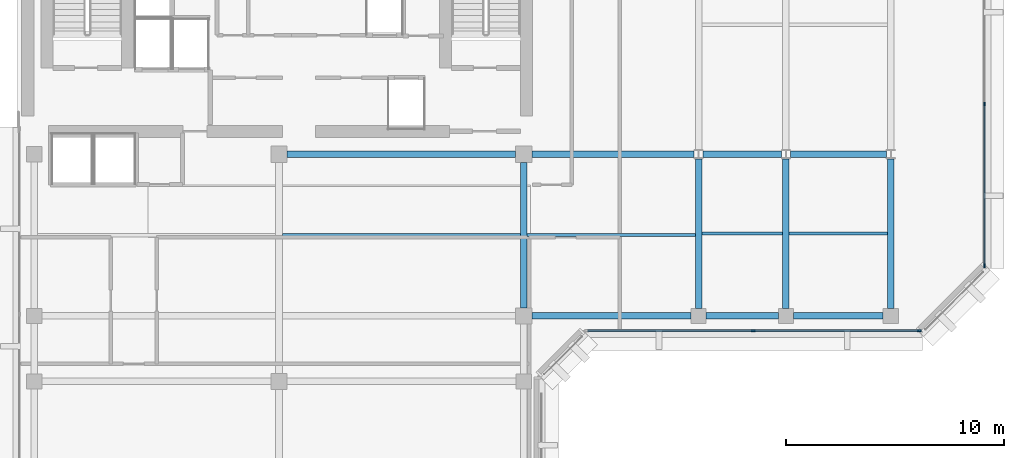
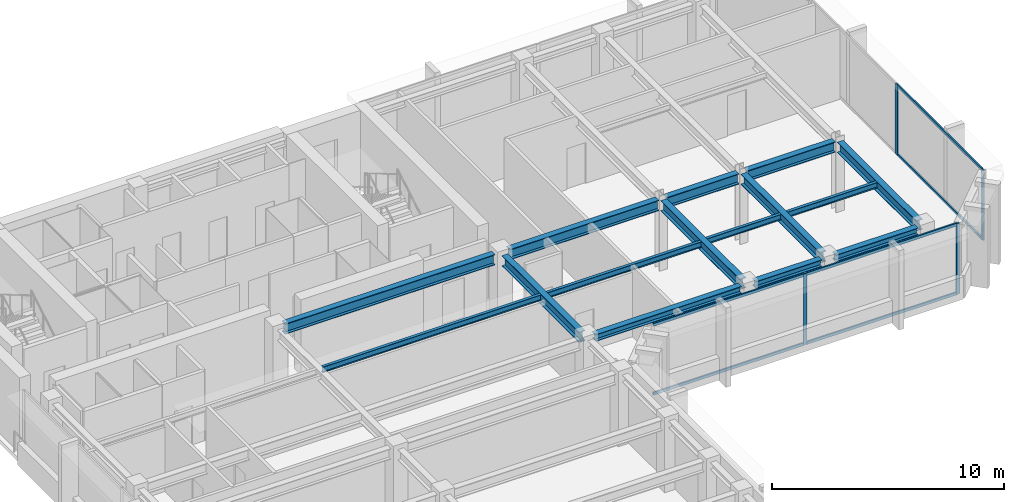
# One storey, part 3 of 11: 15 beams, 10 members, 2 elements without a shape of their own.
"""IFC4 building model written with IfcOpenShell, lengths in metres."""

from ifc_helpers import new_model, si_unit, direction, frame, origin, origin_2d, place, context, subcontext, project, spatial, rectangle, i_section, extrude, material, layer, layer_set, material_profile, profile_set, type_object, element, aggregate, save


model = new_model("IFC4")

# Units and contexts
model_context = context("Model", 3, precision=1e-05, world=origin(), true_north=direction((0.0, 1.0)))
body_context = subcontext(model_context, "Body", "Model", "MODEL_VIEW")
ifc_project = project(units=[si_unit("LENGTHUNIT", "METRE"), si_unit("AREAUNIT", "SQUARE_METRE"), si_unit("VOLUMEUNIT", "CUBIC_METRE"), si_unit("PLANEANGLEUNIT", "RADIAN"), si_unit("MASSUNIT", "GRAM", prefix="KILO")], contexts=[model_context])

# Site, building, storey
site_placement = place(None, origin())
site = spatial("IfcSite", under=ifc_project, at=site_placement, CompositionType="ELEMENT")
building_placement = place(site_placement, origin())
building = spatial("IfcBuilding", under=site, at=building_placement, Name="Kefirva Bronze Tower", CompositionType="ELEMENT")
storey_placement = place(building_placement, frame((0.0, 0.0, 343.530029296875)))
storey = spatial("IfcBuildingStorey", under=building, at=storey_placement, Name="L84", CompositionType="ELEMENT", Elevation=343.530029296875)

# Curtain wall, members
ifc_material_1 = material(Name="Bronze anodised aluminium", Category="aluminium")
ifc_layer = layer(ifc_material_1, 0.179931640625, Name="Bronze anodised aluminium")
ifc_layer_set = layer_set([ifc_layer], Name="Bronze anodised aluminium")
curtain_wall_type = type_object("IfcCurtainWallType", Name="Unitised Bronze Ribbon Curtain Wall Zone 4", PredefinedType="USERDEFINED", material=ifc_layer_set)
curtain_wall_1_placement = place(storey_placement, origin())
curtain_wall_1 = element("IfcCurtainWall", 1, at=curtain_wall_1_placement, inside=storey, type_object=curtain_wall_type, Name="L84 Curtain Wall 2", ObjectType="UNITISED CURTAIN WALL", PredefinedType="USERDEFINED")
ifc_material_profile_1 = material_profile(ifc_material_1, rectangle(XDim=0.074951171875, YDim=0.179931640625, at=origin_2d()), Name="ALU 75x180")
ifc_profile_set_1 = profile_set([ifc_material_profile_1], Name="Bronze anodised aluminium")
member_type_1 = type_object("IfcMemberType", Name="Bronze Mullion 75x180", PredefinedType="MULLION", material=ifc_profile_set_1)
member_1_placement = place(storey_placement, frame((33.699951171875, 25.1201171875, 0.0), z_axis=(0.0, 0.0, 1.0), x_axis=(0.0, 1.0, 0.0)))
member_1 = element("IfcMember", 2, at=member_1_placement, type_object=member_type_1, Name="CW-04 mullion 2", PredefinedType="MULLION", context=body_context, shape_type="SweptSolid", body=[
    extrude(rectangle(XDim=0.074951171875, YDim=0.179931640625, at=origin_2d()), origin(), (0.0, 0.0, 1.0), 3.7099609375),
])
member_2_placement = place(storey_placement, frame((41.3076171875, 25.1201171875, 0.0), z_axis=(0.0, 0.0, 1.0), x_axis=(0.0, 1.0, 0.0)))
member_2 = element("IfcMember", 3, at=member_2_placement, type_object=member_type_1, Name="CW-04 mullion 3", PredefinedType="MULLION", context=body_context, shape_type="SweptSolid", body=[
    extrude(rectangle(XDim=0.074951171875, YDim=0.179931640625, at=origin_2d()), origin(), (0.0, 0.0, 1.0), 3.7099609375),
])

curtain_wall_2_placement = place(storey_placement, origin())
curtain_wall_2 = element("IfcCurtainWall", 4, at=curtain_wall_2_placement, inside=storey, type_object=curtain_wall_type, Name="L84 Curtain Wall 3", ObjectType="UNITISED CURTAIN WALL", PredefinedType="USERDEFINED")
member_3_placement = place(storey_placement, frame((44.280029296875, 28.092529296875, 0.0), z_axis=(0.0, 0.0, 1.0), x_axis=(-1.0, 0.0, 0.0)))
member_3 = element("IfcMember", 5, at=member_3_placement, type_object=member_type_1, Name="CW-04 mullion 1", PredefinedType="MULLION", context=body_context, shape_type="SweptSolid", body=[
    extrude(rectangle(XDim=0.074951171875, YDim=0.179931640625, at=origin_2d()), origin(), (0.0, 0.0, 1.0), 3.7099609375),
])
member_4_placement = place(storey_placement, frame((44.280029296875, 35.5, 0.0), z_axis=(0.0, 0.0, 1.0), x_axis=(-1.0, 0.0, 0.0)))
member_4 = element("IfcMember", 6, at=member_4_placement, type_object=member_type_1, Name="CW-04 mullion 2", PredefinedType="MULLION", context=body_context, shape_type="SweptSolid", body=[
    extrude(rectangle(XDim=0.074951171875, YDim=0.179931640625, at=origin_2d()), origin(), (0.0, 0.0, 1.0), 3.7099609375),
])

# Member
ifc_material_profile_2 = material_profile(ifc_material_1, rectangle(XDim=0.074951171875, YDim=0.14990234375, at=origin_2d()), Name="ALU 75x150")
ifc_profile_set_2 = profile_set([ifc_material_profile_2], Name="Bronze anodised aluminium")
member_type_2 = type_object("IfcMemberType", Name="Bronze Transom 75x150", PredefinedType="USERDEFINED", material=ifc_profile_set_2)
member_5_placement = place(storey_placement, frame((26.1298828125, 25.1201171875, 0.037353515625), z_axis=(1.0, 0.0, 0.0), x_axis=(0.0, 1.0, 0.0)))
member_5 = element("IfcMember", 7, at=member_5_placement, type_object=member_type_2, Name="CW-04 transom 1.1", ObjectType="TRANSOM", PredefinedType="USERDEFINED", context=body_context, shape_type="SweptSolid", body=[
    extrude(rectangle(XDim=0.074951171875, YDim=0.14990234375, at=origin_2d()), origin(), (0.0, 0.0, 1.0), 7.53271484375),
])

member_6_placement = place(storey_placement, frame((26.1298828125, 25.1201171875, 3.67236328125), z_axis=(1.0, 0.0, 0.0), x_axis=(0.0, 1.0, 0.0)))
member_6 = element("IfcMember", 8, at=member_6_placement, type_object=member_type_2, Name="CW-04 transom 1.2", ObjectType="TRANSOM", PredefinedType="USERDEFINED", context=body_context, shape_type="SweptSolid", body=[
    extrude(rectangle(XDim=0.074951171875, YDim=0.14990234375, at=origin_2d()), origin(), (0.0, 0.0, 1.0), 7.53271484375),
])

member_7_placement = place(storey_placement, frame((33.737548828125, 25.1201171875, 0.037353515625), z_axis=(1.0, 0.0, 0.0), x_axis=(0.0, 1.0, 0.0)))
member_7 = element("IfcMember", 9, at=member_7_placement, type_object=member_type_2, Name="CW-04 transom 2.1", ObjectType="TRANSOM", PredefinedType="USERDEFINED", context=body_context, shape_type="SweptSolid", body=[
    extrude(rectangle(XDim=0.074951171875, YDim=0.14990234375, at=origin_2d()), origin(), (0.0, 0.0, 1.0), 7.532470703125),
])

member_8_placement = place(storey_placement, frame((33.737548828125, 25.1201171875, 3.67236328125), z_axis=(1.0, 0.0, 0.0), x_axis=(0.0, 1.0, 0.0)))
member_8 = element("IfcMember", 10, at=member_8_placement, type_object=member_type_2, Name="CW-04 transom 2.2", ObjectType="TRANSOM", PredefinedType="USERDEFINED", context=body_context, shape_type="SweptSolid", body=[
    extrude(rectangle(XDim=0.074951171875, YDim=0.14990234375, at=origin_2d()), origin(), (0.0, 0.0, 1.0), 7.532470703125),
])

aggregate(curtain_wall_1, [member_1, member_2, member_5, member_6, member_7, member_8])

member_9_placement = place(storey_placement, frame((44.280029296875, 28.1298828125, 0.037353515625), z_axis=(0.0, 1.0, 0.0), x_axis=(-1.0, 0.0, 0.0)))
member_9 = element("IfcMember", 11, at=member_9_placement, type_object=member_type_2, Name="CW-04 transom 1.1", ObjectType="TRANSOM", PredefinedType="USERDEFINED", context=body_context, shape_type="SweptSolid", body=[
    extrude(rectangle(XDim=0.074951171875, YDim=0.14990234375, at=origin_2d()), origin(), (0.0, 0.0, 1.0), 7.33251953125),
])

member_10_placement = place(storey_placement, frame((44.280029296875, 28.1298828125, 3.67236328125), z_axis=(0.0, 1.0, 0.0), x_axis=(-1.0, 0.0, 0.0)))
member_10 = element("IfcMember", 12, at=member_10_placement, type_object=member_type_2, Name="CW-04 transom 1.2", ObjectType="TRANSOM", PredefinedType="USERDEFINED", context=body_context, shape_type="SweptSolid", body=[
    extrude(rectangle(XDim=0.074951171875, YDim=0.14990234375, at=origin_2d()), origin(), (0.0, 0.0, 1.0), 7.33251953125),
])

aggregate(curtain_wall_2, [member_3, member_4, member_9, member_10])

# Beams
ifc_material_2 = material(Name="Steel S355", Category="steel")
ifc_material_profile_3 = material_profile(ifc_material_2, i_section(OverallWidth=0.14990234375, OverallDepth=0.300048828125, WebThickness=0.007080078125, FlangeThickness=0.0107421875, at=origin_2d()), Name="IPE 300")
ifc_profile_set_3 = profile_set([ifc_material_profile_3], Name="Steel S355")
beam_type_1 = type_object("IfcBeamType", Name="Steel Floor Joist IPE 300", PredefinedType="JOIST", material=ifc_profile_set_3)
beam_1_placement = place(storey_placement, frame((12.14990234375, 29.5, 3.56005859375), z_axis=(1.0, 0.0, 0.0), x_axis=(0.0, 1.0, 0.0)))
element("IfcBeam", 13, at=beam_1_placement, inside=storey, type_object=beam_type_1, Name="L84 JST-L84-12-295", PredefinedType="JOIST", context=body_context, shape_type="SweptSolid", body=[
    extrude(i_section(OverallWidth=0.14990234375, OverallDepth=0.300048828125, WebThickness=0.007080078125, FlangeThickness=0.0107421875, at=origin_2d()), origin(), (0.0, 0.0, 1.0), 10.900146484375),
])
beam_2_placement = place(storey_placement, frame((23.35009765625, 29.5, 3.56005859375), z_axis=(1.0, 0.0, 0.0), x_axis=(0.0, 1.0, 0.0)))
element("IfcBeam", 14, at=beam_2_placement, inside=storey, type_object=beam_type_1, Name="L84 JST-L84-23-295", PredefinedType="JOIST", context=body_context, shape_type="SweptSolid", body=[
    extrude(i_section(OverallWidth=0.14990234375, OverallDepth=0.300048828125, WebThickness=0.007080078125, FlangeThickness=0.0107421875, at=origin_2d()), origin(), (0.0, 0.0, 1.0), 7.699951171875),
])
beam_3_placement = place(storey_placement, frame((31.35009765625, 29.571044921875, 3.56005859375), z_axis=(1.0, 0.0, 0.0), x_axis=(0.0, 1.0, 0.0)))
element("IfcBeam", 15, at=beam_3_placement, inside=storey, type_object=beam_type_1, Name="L84 JST-L84-31-295", PredefinedType="JOIST", context=body_context, shape_type="SweptSolid", body=[
    extrude(i_section(OverallWidth=0.14990234375, OverallDepth=0.300048828125, WebThickness=0.007080078125, FlangeThickness=0.0107421875, at=origin_2d()), origin(), (0.0, 0.0, 1.0), 3.699951171875),
])
beam_4_placement = place(storey_placement, frame((35.35009765625, 29.571044921875, 3.56005859375), z_axis=(1.0, 0.0, 0.0), x_axis=(0.0, 1.0, 0.0)))
element("IfcBeam", 16, at=beam_4_placement, inside=storey, type_object=beam_type_1, Name="L84 JST-L84-35-295", PredefinedType="JOIST", context=body_context, shape_type="SweptSolid", body=[
    extrude(i_section(OverallWidth=0.14990234375, OverallDepth=0.300048828125, WebThickness=0.007080078125, FlangeThickness=0.0107421875, at=origin_2d()), origin(), (0.0, 0.0, 1.0), 4.5),
])
ifc_material_profile_4 = material_profile(ifc_material_2, i_section(OverallWidth=0.300048828125, OverallDepth=0.550048828125, WebThickness=0.014892578125, FlangeThickness=0.029052734375, at=origin_2d()), Name="HEB 550")
ifc_profile_set_4 = profile_set([ifc_material_profile_4], Name="Steel S355")
beam_type_2 = type_object("IfcBeamType", Name="Steel Girder HEB 550", PredefinedType="USERDEFINED", material=ifc_profile_set_4)
beam_5_placement = place(storey_placement, frame((12.3701171875, 33.199951171875, 3.43505859375), z_axis=(1.0, 0.0, 0.0), x_axis=(0.0, 1.0, 0.0)))
element("IfcBeam", 17, at=beam_5_placement, inside=storey, type_object=beam_type_2, Name="L84 BM-L84-EW-12-332", ObjectType="GIRDER", PredefinedType="USERDEFINED", context=body_context, shape_type="SweptSolid", body=[
    extrude(i_section(OverallWidth=0.300048828125, OverallDepth=0.550048828125, WebThickness=0.014892578125, FlangeThickness=0.029052734375, at=origin_2d()), origin(), (0.0, 0.0, 1.0), 10.4599609375),
])
beam_6_placement = place(storey_placement, frame((23.570068359375, 33.199951171875, 3.43505859375), z_axis=(1.0, 0.0, 0.0), x_axis=(0.0, 1.0, 0.0)))
element("IfcBeam", 18, at=beam_6_placement, inside=storey, type_object=beam_type_2, Name="L84 BM-L84-EW-23-332", ObjectType="GIRDER", PredefinedType="USERDEFINED", context=body_context, shape_type="SweptSolid", body=[
    extrude(i_section(OverallWidth=0.300048828125, OverallDepth=0.550048828125, WebThickness=0.014892578125, FlangeThickness=0.029052734375, at=origin_2d()), origin(), (0.0, 0.0, 1.0), 7.427001953125),
])
beam_7_placement = place(storey_placement, frame((31.403076171875, 33.199951171875, 3.43505859375), z_axis=(1.0, 0.0, 0.0), x_axis=(0.0, 1.0, 0.0)))
element("IfcBeam", 19, at=beam_7_placement, inside=storey, type_object=beam_type_2, Name="L84 BM-L84-EW-31-332", ObjectType="GIRDER", PredefinedType="USERDEFINED", context=body_context, shape_type="SweptSolid", body=[
    extrude(i_section(OverallWidth=0.300048828125, OverallDepth=0.550048828125, WebThickness=0.014892578125, FlangeThickness=0.029052734375, at=origin_2d()), origin(), (0.0, 0.0, 1.0), 3.593994140625),
])
beam_8_placement = place(storey_placement, frame((35.403076171875, 33.199951171875, 3.43505859375), z_axis=(1.0, 0.0, 0.0), x_axis=(0.0, 1.0, 0.0)))
element("IfcBeam", 20, at=beam_8_placement, inside=storey, type_object=beam_type_2, Name="L84 BM-L84-EW-35-332", ObjectType="GIRDER", PredefinedType="USERDEFINED", context=body_context, shape_type="SweptSolid", body=[
    extrude(i_section(OverallWidth=0.300048828125, OverallDepth=0.550048828125, WebThickness=0.014892578125, FlangeThickness=0.029052734375, at=origin_2d()), origin(), (0.0, 0.0, 1.0), 4.39404296875),
])
beam_9_placement = place(storey_placement, frame((23.199951171875, 26.169921875, 3.43505859375), z_axis=(0.0, 1.0, 0.0), x_axis=(-1.0, 0.0, 0.0)))
element("IfcBeam", 21, at=beam_9_placement, inside=storey, type_object=beam_type_2, Name="L84 BM-L84-NS-232-25", ObjectType="GIRDER", PredefinedType="USERDEFINED", context=body_context, shape_type="SweptSolid", body=[
    extrude(i_section(OverallWidth=0.300048828125, OverallDepth=0.550048828125, WebThickness=0.014892578125, FlangeThickness=0.029052734375, at=origin_2d()), origin(), (0.0, 0.0, 1.0), 6.66015625),
])
for number, where, z_axis, x_axis, name in (
    (22, (31.199951171875, 26.14990234375, 3.43505859375), (0.0, 1.0, 0.0), (-1.0, 0.0, 0.0), "L84 BM-L84-NS-312-25"),
    (23, (35.199951171875, 26.14990234375, 3.43505859375), (0.0, 1.0, 0.0), (-1.0, 0.0, 0.0), "L84 BM-L84-NS-352-25"),
    (24, (40.0, 26.14990234375, 3.43505859375), (0.0, 1.0, 0.0), (-1.0, 0.0, 0.0), "L84 BM-L84-NS-400-25"),
):
    element("IfcBeam", number, at=place(storey_placement, frame(where, z_axis=z_axis, x_axis=x_axis)), inside=storey, type_object=beam_type_2, Name=name, ObjectType="GIRDER", PredefinedType="USERDEFINED", context=body_context, shape_type="SweptSolid", body=[
        extrude(i_section(OverallWidth=0.300048828125, OverallDepth=0.550048828125, WebThickness=0.014892578125, FlangeThickness=0.029052734375, at=origin_2d()), origin(), (0.0, 0.0, 1.0), 6.842041015625),
    ])
ifc_material_profile_5 = material_profile(ifc_material_2, i_section(OverallWidth=0.300048828125, OverallDepth=0.360107421875, WebThickness=0.012451171875, FlangeThickness=0.0224609375, at=origin_2d()), Name="HEB 360")
ifc_profile_set_5 = profile_set([ifc_material_profile_5], Name="Steel S355")
beam_type_3 = type_object("IfcBeamType", Name="Steel Spandrel HEB 360 Ext", PredefinedType="SPANDREL", material=ifc_profile_set_5)
beam_10_placement = place(storey_placement, frame((23.570068359375, 25.800048828125, 3.530029296875), z_axis=(1.0, 0.0, 0.0), x_axis=(0.0, 1.0, 0.0)))
element("IfcBeam", 25, at=beam_10_placement, inside=storey, type_object=beam_type_3, Name="L84 BM-L84-EW-23-258", PredefinedType="SPANDREL", context=body_context, shape_type="SweptSolid", body=[
    extrude(i_section(OverallWidth=0.300048828125, OverallDepth=0.360107421875, WebThickness=0.012451171875, FlangeThickness=0.0224609375, at=origin_2d()), origin(), (0.0, 0.0, 1.0), 7.280029296875),
])
beam_11_placement = place(storey_placement, frame((31.550048828125, 25.800048828125, 3.530029296875), z_axis=(1.0, 0.0, 0.0), x_axis=(0.0, 1.0, 0.0)))
element("IfcBeam", 26, at=beam_11_placement, inside=storey, type_object=beam_type_3, Name="L84 BM-L84-EW-31-258", PredefinedType="SPANDREL", context=body_context, shape_type="SweptSolid", body=[
    extrude(i_section(OverallWidth=0.300048828125, OverallDepth=0.360107421875, WebThickness=0.012451171875, FlangeThickness=0.0224609375, at=origin_2d()), origin(), (0.0, 0.0, 1.0), 3.300048828125),
])
beam_12_placement = place(storey_placement, frame((35.550048828125, 25.800048828125, 3.530029296875), z_axis=(1.0, 0.0, 0.0), x_axis=(0.0, 1.0, 0.0)))
element("IfcBeam", 27, at=beam_12_placement, inside=storey, type_object=beam_type_3, Name="L84 BM-L84-EW-35-258", PredefinedType="SPANDREL", context=body_context, shape_type="SweptSolid", body=[
    extrude(i_section(OverallWidth=0.300048828125, OverallDepth=0.360107421875, WebThickness=0.012451171875, FlangeThickness=0.0224609375, at=origin_2d()), origin(), (0.0, 0.0, 1.0), 4.099853515625),
])

save(model, "model.ifc")
